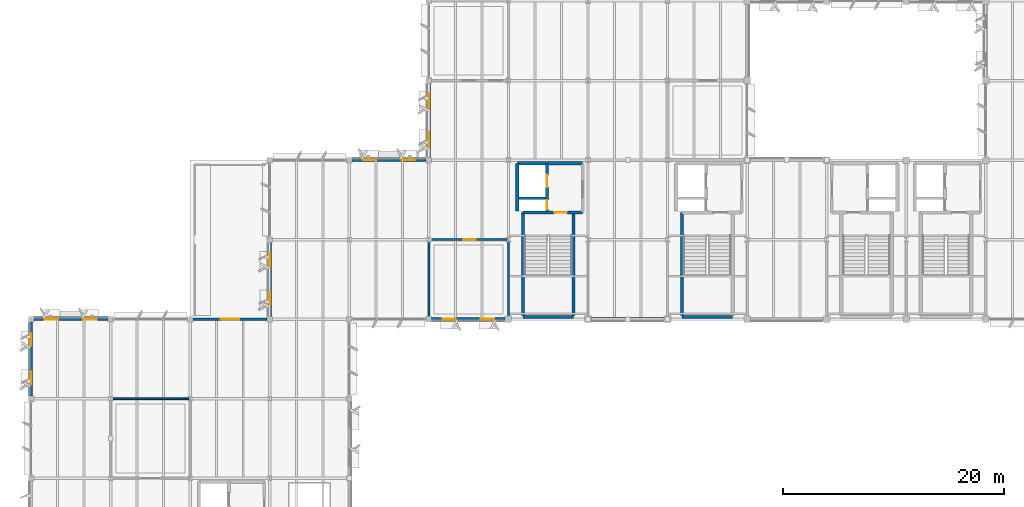
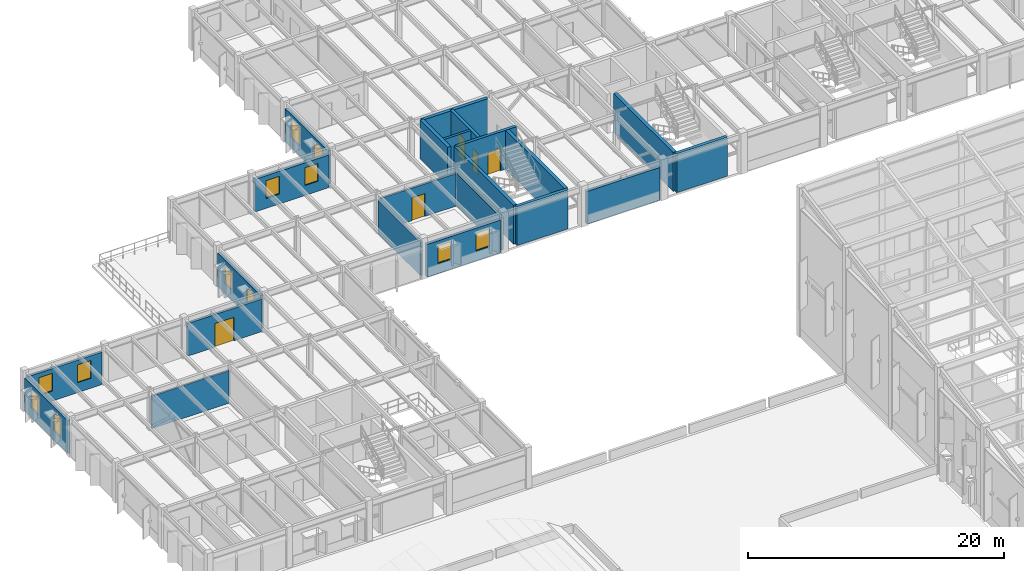
# One storey, part 37 of 82: 22 walls, 12 windows, 5 doors, 17 openings.
"""IFC4 building model written with IfcOpenShell, lengths in metres."""

from ifc_helpers import new_model, si_unit, direction, frame, frame_2d, origin, place, context, subcontext, project, spatial, rectangle, extrude, material, layer, layer_set, type_object, element, fill, save


model = new_model("IFC4")

# Units and contexts
model_context = context("Model", 3, precision=1e-05, world=origin(), true_north=direction((0.0, 1.0)))
body_context = subcontext(model_context, "Body", "Model", "MODEL_VIEW")
ifc_project = project(units=[si_unit("LENGTHUNIT", "METRE"), si_unit("AREAUNIT", "SQUARE_METRE"), si_unit("VOLUMEUNIT", "CUBIC_METRE"), si_unit("PLANEANGLEUNIT", "RADIAN"), si_unit("MASSUNIT", "GRAM", prefix="KILO")], contexts=[model_context])

# Site, building, storey
site_placement = place(None, origin())
site = spatial("IfcSite", under=ifc_project, at=site_placement, CompositionType="ELEMENT")
building_placement = place(site_placement, origin())
building = spatial("IfcBuilding", under=site, at=building_placement, Name="Sillqori Civic Hall", CompositionType="ELEMENT")
storey_placement = place(building_placement, frame((0.0, 0.0, 14.10009765625)))
storey = spatial("IfcBuildingStorey", under=building, at=storey_placement, Name="L04", CompositionType="ELEMENT", Elevation=14.10009765625)

# Wall
ifc_material_1 = material(Name="Concrete C35/45 (H35)", Category="concrete")
ifc_layer_1 = layer(ifc_material_1, 0.219970703125)
ifc_layer_set_1 = layer_set([ifc_layer_1], Name="Concrete C35/45 (H35)")
wall_type_1 = type_object("IfcWallType", Name="CW-SHR-220", PredefinedType="SHEAR", material=ifc_layer_set_1)
wall_1_placement = place(storey_placement, frame((51.35009765625, 90.14990234375, 0.0), z_axis=(0.0, 0.0, 1.0), x_axis=(1.0, 0.0, 0.0)))
element("IfcWall", 1, at=wall_1_placement, inside=storey, type_object=wall_type_1, Name="L04 C5 Lift-riser divider wall", PredefinedType="SHEAR", context=body_context, shape_type="SweptSolid", body=[
    extrude(rectangle(XDim=2.39990234375, YDim=0.219970703125, at=frame_2d((1.199951171875, 0.0))), origin(), (0.0, 0.0, 1.0), 3.719970703125),
])

# Wall, opening, door
ifc_layer_2 = layer(ifc_material_1, 0.260009765625)
ifc_layer_set_2 = layer_set([ifc_layer_2], Name="Concrete C35/45 (H35)")
wall_type_2 = type_object("IfcWallType", Name="CW-SHR-260", PredefinedType="SHEAR", material=ifc_layer_set_2)
wall_2_placement = place(storey_placement, frame((51.7099609375, 88.85009765625, 0.0), z_axis=(0.0, 0.0, 1.0), x_axis=(1.0, 0.0, 0.0)))
wall_2 = element("IfcWall", 2, at=wall_2_placement, inside=storey, type_object=wall_type_2, Name="L04 C5 Stair-lobby fire wall", PredefinedType="SHEAR", context=body_context, shape_type="SweptSolid", body=[
    extrude(rectangle(XDim=5.41015625, YDim=0.260009765625, at=frame_2d((2.705078125, 0.0))), origin(), (0.0, 0.0, 1.0), 3.719970703125),
])
opening_1_placement = place(wall_2_placement, frame((2.840087890625, 0.0, 0.0)))
opening_1 = element("IfcOpeningElement", 3, at=opening_1_placement, cuts=wall_2, Name="Opening FD-01", PredefinedType="OPENING", context=body_context, shape_type="SweptSolid", body=[
    extrude(rectangle(XDim=1.14990234375, YDim=2.14990234375, at=frame_2d((0.574951171875, 1.074951171875))), frame((0.0, 0.139892578125, 0.0), z_axis=(0.0, -1.0, 0.0), x_axis=(1.0, 0.0, 0.0)), (0.0, 0.0, 1.0), 0.280029296875),
])
ifc_material_2 = material(Name="Galvanized Steel Fire Door FD90S", Category="steel")
door_type_1 = type_object("IfcDoorType", Name="FDR-STR-115X215", OperationType="NOTDEFINED", PredefinedType="DOOR", material=ifc_material_2)
door_1_placement = place(opening_1_placement, origin())
door_1 = element("IfcDoor", 4, at=door_1_placement, inside=storey, type_object=door_type_1, Name="L04 stair ST-05 fire door", OperationType="SINGLE_SWING_RIGHT", OverallHeight=2.14990234375, OverallWidth=1.14990234375, PredefinedType="DOOR", context=body_context, shape_type="SweptSolid", body=[
    extrude(rectangle(XDim=1.14990234375, YDim=2.14990234375, at=frame_2d((0.574951171875, 1.074951171875))), frame((0.0, 0.02490234375, 0.0), z_axis=(0.0, -1.0, 0.0), x_axis=(1.0, 0.0, 0.0)), (0.0, 0.0, 1.0), 0.050048828125),
])
fill(opening_1, door_1)

# Wall, openings, doors
wall_3_placement = place(storey_placement, frame((53.89990234375, 93.300048828125, 0.0), z_axis=(0.0, 0.0, 1.0), x_axis=(0.0, -1.0, 0.0)))
wall_3 = element("IfcWall", 5, at=wall_3_placement, inside=storey, type_object=wall_type_2, Name="L04 C5 Lift landing & riser front wall", PredefinedType="SHEAR", context=body_context, shape_type="SweptSolid", body=[
    extrude(rectangle(XDim=4.320068359375, YDim=0.260009765625, at=frame_2d((2.16015625, 0.0))), origin(), (0.0, 0.0, 1.0), 3.719970703125),
])
opening_2_placement = place(wall_3_placement, frame((1.050048828125, 0.0, 0.0)))
opening_2 = element("IfcOpeningElement", 6, at=opening_2_placement, cuts=wall_3, Name="Opening LD-01", PredefinedType="OPENING", context=body_context, shape_type="SweptSolid", body=[
    extrude(rectangle(XDim=1.10009765625, YDim=2.14990234375, at=frame_2d((0.550048828125, 1.074951171875))), frame((0.0, 0.139892578125, 0.0), z_axis=(0.0, -1.0, 0.0), x_axis=(1.0, 0.0, 0.0)), (0.0, 0.0, 1.0), 0.280029296875),
])
opening_3_placement = place(wall_3_placement, frame((3.324951171875, 0.0, 0.0)))
opening_3 = element("IfcOpeningElement", 7, at=opening_3_placement, cuts=wall_3, Name="Opening FD-05", PredefinedType="OPENING", context=body_context, shape_type="SweptSolid", body=[
    extrude(rectangle(XDim=0.85009765625, YDim=2.050048828125, at=frame_2d((0.425048828125, 1.02490234375))), frame((0.0, 0.139892578125, 0.0), z_axis=(0.0, -1.0, 0.0), x_axis=(1.0, 0.0, 0.0)), (0.0, 0.0, 1.0), 0.280029296875),
])
ifc_material_3 = material(Name="Steel Riser Access Fire Door", Category="steel")
door_type_2 = type_object("IfcDoorType", Name="FDR-RSR-085X205", OperationType="NOTDEFINED", PredefinedType="DOOR", material=ifc_material_3)
door_2_placement = place(opening_3_placement, origin())
door_2 = element("IfcDoor", 8, at=door_2_placement, inside=storey, type_object=door_type_2, Name="L04 MEP riser C5 fire access door", OperationType="SINGLE_SWING_LEFT", OverallHeight=2.050048828125, OverallWidth=0.85009765625, PredefinedType="DOOR", context=body_context, shape_type="SweptSolid", body=[
    extrude(rectangle(XDim=0.85009765625, YDim=2.050048828125, at=frame_2d((0.425048828125, 1.02490234375))), frame((0.0, 0.02490234375, 0.0), z_axis=(0.0, -1.0, 0.0), x_axis=(1.0, 0.0, 0.0)), (0.0, 0.0, 1.0), 0.050048828125),
])
fill(opening_3, door_2)
ifc_material_4 = material(Name="Stainless Steel Lift Landing Door", Category="steel")
door_type_3 = type_object("IfcDoorType", Name="LDR-PASS-110X215", OperationType="NOTDEFINED", PredefinedType="DOOR", material=ifc_material_4)
door_3_placement = place(opening_2_placement, origin())
door_3 = element("IfcDoor", 9, at=door_3_placement, inside=storey, type_object=door_type_3, Name="L04 lift LF-03 sliding landing door", OperationType="DOUBLE_DOOR_SLIDING", OverallHeight=2.14990234375, OverallWidth=1.10009765625, PredefinedType="DOOR", context=body_context, shape_type="SweptSolid", body=[
    extrude(rectangle(XDim=1.10009765625, YDim=2.14990234375, at=frame_2d((0.550048828125, 1.074951171875))), frame((0.0, 0.02490234375, 0.0), z_axis=(0.0, -1.0, 0.0), x_axis=(1.0, 0.0, 0.0)), (0.0, 0.0, 1.0), 0.050048828125),
])
fill(opening_2, door_3)

# Walls
ifc_layer_3 = layer(ifc_material_1, 0.300048828125)
ifc_layer_set_3 = layer_set([ifc_layer_3], Name="Concrete C35/45 (H35)")
wall_type_3 = type_object("IfcWallType", Name="CW-SHR-300", PredefinedType="SHEAR", material=ifc_layer_set_3)
wall_4_placement = place(storey_placement, frame((51.7099609375, 79.39990234375, 0.0), z_axis=(0.0, 0.0, 1.0), x_axis=(1.0, 0.0, 0.0)))
element("IfcWall", 10, at=wall_4_placement, inside=storey, type_object=wall_type_3, Name="L04 C5 Stair south shear wall", PredefinedType="SHEAR", context=body_context, shape_type="SweptSolid", body=[
    extrude(rectangle(XDim=4.580078125, YDim=0.300048828125, at=frame_2d((2.2900390625, 0.0))), origin(), (0.0, 0.0, 1.0), 3.719970703125),
])
for number, where, z_axis, x_axis, name in (
    (11, (51.7099609375, 79.550048828125, 0.0), (0.0, 0.0, 1.0), (0.0, 1.0, 0.0), "L04 C5 Stair west shear wall"),
    (12, (56.2900390625, 79.550048828125, 0.0), (0.0, 0.0, 1.0), (0.0, 1.0, 0.0), "L04 C5 Stair east shear wall"),
):
    element("IfcWall", number, at=place(storey_placement, frame(where, z_axis=z_axis, x_axis=x_axis)), inside=storey, type_object=wall_type_3, Name=name, PredefinedType="SHEAR", context=body_context, shape_type="SweptSolid", body=[
        extrude(rectangle(XDim=9.300048828125, YDim=0.300048828125, at=frame_2d((4.64990234375, 0.0))), origin(), (0.0, 0.0, 1.0), 3.719970703125),
    ])
wall_5_placement = place(storey_placement, frame((51.199951171875, 88.97998046875, 0.0), z_axis=(0.0, 0.0, 1.0), x_axis=(0.0, 1.0, 0.0)))
element("IfcWall", 13, at=wall_5_placement, inside=storey, type_object=wall_type_3, Name="L04 C5 Lift shaft west shear wall", PredefinedType="SHEAR", context=body_context, shape_type="SweptSolid", body=[
    extrude(rectangle(XDim=4.320068359375, YDim=0.300048828125, at=frame_2d((2.16015625, 0.0))), origin(), (0.0, 0.0, 1.0), 3.719970703125),
])
wall_6_placement = place(storey_placement, frame((51.199951171875, 93.300048828125, 0.0), z_axis=(0.0, 0.0, 1.0), x_axis=(1.0, 0.0, 0.0)))
element("IfcWall", 14, at=wall_6_placement, inside=storey, type_object=wall_type_3, Name="L04 C5 Core north shear wall", PredefinedType="SHEAR", context=body_context, shape_type="SweptSolid", body=[
    extrude(rectangle(XDim=5.920166015625, YDim=0.300048828125, at=frame_2d((2.9599609375, 0.0))), origin(), (0.0, 0.0, 1.0), 3.719970703125),
])
wall_7_placement = place(storey_placement, frame((66.110107421875, 79.39990234375, 0.0), z_axis=(0.0, 0.0, 1.0), x_axis=(1.0, 0.0, 0.0)))
element("IfcWall", 15, at=wall_7_placement, inside=storey, type_object=wall_type_3, Name="L04 C6 Stair south shear wall", PredefinedType="SHEAR", context=body_context, shape_type="SweptSolid", body=[
    extrude(rectangle(XDim=4.579833984375, YDim=0.300048828125, at=frame_2d((2.2900390625, 0.0))), origin(), (0.0, 0.0, 1.0), 3.719970703125),
])
wall_8_placement = place(storey_placement, frame((66.110107421875, 79.550048828125, 0.0), z_axis=(0.0, 0.0, 1.0), x_axis=(0.0, 1.0, 0.0)))
element("IfcWall", 16, at=wall_8_placement, inside=storey, type_object=wall_type_3, Name="L04 C6 Stair west shear wall", PredefinedType="SHEAR", context=body_context, shape_type="SweptSolid", body=[
    extrude(rectangle(XDim=9.300048828125, YDim=0.300048828125, at=frame_2d((4.64990234375, 0.0))), origin(), (0.0, 0.0, 1.0), 3.719970703125),
])

# Wall, openings, windows
ifc_material_5 = material(Name="Precast concrete C40/50 (H40)", Category="concrete")
ifc_layer_4 = layer(ifc_material_5, 0.280029296875)
ifc_layer_set_4 = layer_set([ifc_layer_4], Name="Precast concrete C40/50 (H40)")
wall_type_4 = type_object("IfcWallType", Name="EW-LIME-280", PredefinedType="SOLIDWALL", material=ifc_layer_set_4)
wall_9_placement = place(storey_placement, frame((28.800048828125, 79.449951171875, 0.0), z_axis=(0.0, 0.0, 1.0), x_axis=(0.0, 1.0, 0.0)))
wall_9 = element("IfcWall", 17, at=wall_9_placement, inside=storey, type_object=wall_type_4, Name="L04 V4 exterior wall L04-04-11-W", PredefinedType="SOLIDWALL", context=body_context, shape_type="SweptSolid", body=[
    extrude(rectangle(XDim=6.699951171875, YDim=0.280029296875, at=frame_2d((3.35009765625, 0.0))), origin(), (0.0, 0.0, 1.0), 3.171875),
])
opening_4_placement = place(wall_9_placement, frame((1.008056640625, 0.0, 0.949951171875)))
opening_4 = element("IfcOpeningElement", 18, at=opening_4_placement, cuts=wall_9, Name="Opening W-22", PredefinedType="OPENING", context=body_context, shape_type="SweptSolid", body=[
    extrude(rectangle(XDim=1.199951171875, YDim=1.699951171875, at=frame_2d((0.60009765625, 0.85009765625))), frame((0.0, 0.14990234375, 0.0), z_axis=(0.0, -1.0, 0.0), x_axis=(1.0, 0.0, 0.0)), (0.0, 0.0, 1.0), 0.300048828125),
])
opening_5_placement = place(wall_9_placement, frame((4.491943359375, 0.0, 0.949951171875)))
opening_5 = element("IfcOpeningElement", 19, at=opening_5_placement, cuts=wall_9, Name="Opening W-22", PredefinedType="OPENING", context=body_context, shape_type="SweptSolid", body=[
    extrude(rectangle(XDim=1.199951171875, YDim=1.699951171875, at=frame_2d((0.60009765625, 0.85009765625))), frame((0.0, 0.14990234375, 0.0), z_axis=(0.0, -1.0, 0.0), x_axis=(1.0, 0.0, 0.0)), (0.0, 0.0, 1.0), 0.300048828125),
])
ifc_material_6 = material(Name="Thermally Broken Aluminium Low-E Window", Category="aluminium")
window_type_1 = type_object("IfcWindowType", Name="WIN-V5-120X170", PartitioningType="SINGLE_PANEL", PredefinedType="WINDOW", material=ifc_material_6)
window_1_placement = place(opening_4_placement, origin())
window_1 = element("IfcWindow", 20, at=window_1_placement, inside=storey, type_object=window_type_1, Name="L04 V4 window L04-04-11-W.1", OverallHeight=1.699951171875, OverallWidth=1.199951171875, PartitioningType="SINGLE_PANEL", PredefinedType="WINDOW", context=body_context, shape_type="SweptSolid", body=[
    extrude(rectangle(XDim=1.199951171875, YDim=1.699951171875, at=frame_2d((0.60009765625, 0.85009765625))), frame((0.0, 0.030029296875, 0.0), z_axis=(0.0, -1.0, 0.0), x_axis=(1.0, 0.0, 0.0)), (0.0, 0.0, 1.0), 0.06005859375),
])
fill(opening_4, window_1)
window_2_placement = place(opening_5_placement, origin())
window_2 = element("IfcWindow", 21, at=window_2_placement, inside=storey, type_object=window_type_1, Name="L04 V4 window L04-04-11-W.2", OverallHeight=1.699951171875, OverallWidth=1.199951171875, PartitioningType="SINGLE_PANEL", PredefinedType="WINDOW", context=body_context, shape_type="SweptSolid", body=[
    extrude(rectangle(XDim=1.199951171875, YDim=1.699951171875, at=frame_2d((0.60009765625, 0.85009765625))), frame((0.0, 0.030029296875, 0.0), z_axis=(0.0, -1.0, 0.0), x_axis=(1.0, 0.0, 0.0)), (0.0, 0.0, 1.0), 0.06005859375),
])
fill(opening_5, window_2)

wall_10_placement = place(storey_placement, frame((36.25, 93.60009765625, 0.0), z_axis=(0.0, 0.0, 1.0), x_axis=(1.0, 0.0, 0.0)))
wall_10 = element("IfcWall", 22, at=wall_10_placement, inside=storey, type_object=wall_type_4, Name="L04 V4 exterior wall L04-05-12-N", PredefinedType="SOLIDWALL", context=body_context, shape_type="SweptSolid", body=[
    extrude(rectangle(XDim=6.699951171875, YDim=0.280029296875, at=frame_2d((3.35009765625, 0.0))), origin(), (0.0, 0.0, 1.0), 3.117919921875),
])
opening_6_placement = place(wall_10_placement, frame((1.008056640625, 0.0, 0.949951171875)))
opening_6 = element("IfcOpeningElement", 23, at=opening_6_placement, cuts=wall_10, Name="Opening W-22", PredefinedType="OPENING", context=body_context, shape_type="SweptSolid", body=[
    extrude(rectangle(XDim=1.199951171875, YDim=1.699951171875, at=frame_2d((0.60009765625, 0.85009765625))), frame((0.0, 0.14990234375, 0.0), z_axis=(0.0, -1.0, 0.0), x_axis=(1.0, 0.0, 0.0)), (0.0, 0.0, 1.0), 0.300048828125),
])
opening_7_placement = place(wall_10_placement, frame((4.491943359375, 0.0, 0.949951171875)))
opening_7 = element("IfcOpeningElement", 24, at=opening_7_placement, cuts=wall_10, Name="Opening W-22", PredefinedType="OPENING", context=body_context, shape_type="SweptSolid", body=[
    extrude(rectangle(XDim=1.199951171875, YDim=1.699951171875, at=frame_2d((0.60009765625, 0.85009765625))), frame((0.0, 0.14990234375, 0.0), z_axis=(0.0, -1.0, 0.0), x_axis=(1.0, 0.0, 0.0)), (0.0, 0.0, 1.0), 0.300048828125),
])
window_3_placement = place(opening_6_placement, origin())
window_3 = element("IfcWindow", 25, at=window_3_placement, inside=storey, type_object=window_type_1, Name="L04 V4 window L04-05-12-N.1", OverallHeight=1.699951171875, OverallWidth=1.199951171875, PartitioningType="SINGLE_PANEL", PredefinedType="WINDOW", context=body_context, shape_type="SweptSolid", body=[
    extrude(rectangle(XDim=1.199951171875, YDim=1.699951171875, at=frame_2d((0.60009765625, 0.85009765625))), frame((0.0, 0.030029296875, 0.0), z_axis=(0.0, -1.0, 0.0), x_axis=(1.0, 0.0, 0.0)), (0.0, 0.0, 1.0), 0.06005859375),
])
fill(opening_6, window_3)
window_4_placement = place(opening_7_placement, origin())
window_4 = element("IfcWindow", 26, at=window_4_placement, inside=storey, type_object=window_type_1, Name="L04 V4 window L04-05-12-N.2", OverallHeight=1.699951171875, OverallWidth=1.199951171875, PartitioningType="SINGLE_PANEL", PredefinedType="WINDOW", context=body_context, shape_type="SweptSolid", body=[
    extrude(rectangle(XDim=1.199951171875, YDim=1.699951171875, at=frame_2d((0.60009765625, 0.85009765625))), frame((0.0, 0.030029296875, 0.0), z_axis=(0.0, -1.0, 0.0), x_axis=(1.0, 0.0, 0.0)), (0.0, 0.0, 1.0), 0.06005859375),
])
fill(opening_7, window_4)

wall_11_placement = place(storey_placement, frame((50.10009765625, 79.199951171875, 0.0), z_axis=(0.0, 0.0, 1.0), x_axis=(-1.0, 0.0, 0.0)))
wall_11 = element("IfcWall", 27, at=wall_11_placement, inside=storey, type_object=wall_type_4, Name="L04 V4 exterior wall L04-06-11-S", PredefinedType="SOLIDWALL", context=body_context, shape_type="SweptSolid", body=[
    extrude(rectangle(XDim=6.650146484375, YDim=0.280029296875, at=frame_2d((3.3251953125, 0.0))), origin(), (0.0, 0.0, 1.0), 3.117919921875),
])
opening_8_placement = place(wall_11_placement, frame((0.99609375, 0.0, 0.949951171875)))
opening_8 = element("IfcOpeningElement", 28, at=opening_8_placement, cuts=wall_11, Name="Opening W-22", PredefinedType="OPENING", context=body_context, shape_type="SweptSolid", body=[
    extrude(rectangle(XDim=1.199951171875, YDim=1.699951171875, at=frame_2d((0.60009765625, 0.85009765625))), frame((0.0, 0.14990234375, 0.0), z_axis=(0.0, -1.0, 0.0), x_axis=(1.0, 0.0, 0.0)), (0.0, 0.0, 1.0), 0.300048828125),
])
opening_9_placement = place(wall_11_placement, frame((4.4541015625, 0.0, 0.949951171875)))
opening_9 = element("IfcOpeningElement", 29, at=opening_9_placement, cuts=wall_11, Name="Opening W-22", PredefinedType="OPENING", context=body_context, shape_type="SweptSolid", body=[
    extrude(rectangle(XDim=1.199951171875, YDim=1.699951171875, at=frame_2d((0.60009765625, 0.85009765625))), frame((0.0, 0.14990234375, 0.0), z_axis=(0.0, -1.0, 0.0), x_axis=(1.0, 0.0, 0.0)), (0.0, 0.0, 1.0), 0.300048828125),
])
window_5_placement = place(opening_8_placement, origin())
window_5 = element("IfcWindow", 30, at=window_5_placement, inside=storey, type_object=window_type_1, Name="L04 V4 window L04-06-11-S.1", OverallHeight=1.699951171875, OverallWidth=1.199951171875, PartitioningType="SINGLE_PANEL", PredefinedType="WINDOW", context=body_context, shape_type="SweptSolid", body=[
    extrude(rectangle(XDim=1.199951171875, YDim=1.699951171875, at=frame_2d((0.60009765625, 0.85009765625))), frame((0.0, 0.030029296875, 0.0), z_axis=(0.0, -1.0, 0.0), x_axis=(1.0, 0.0, 0.0)), (0.0, 0.0, 1.0), 0.06005859375),
])
fill(opening_8, window_5)
window_6_placement = place(opening_9_placement, origin())
window_6 = element("IfcWindow", 31, at=window_6_placement, inside=storey, type_object=window_type_1, Name="L04 V4 window L04-06-11-S.2", OverallHeight=1.699951171875, OverallWidth=1.199951171875, PartitioningType="SINGLE_PANEL", PredefinedType="WINDOW", context=body_context, shape_type="SweptSolid", body=[
    extrude(rectangle(XDim=1.199951171875, YDim=1.699951171875, at=frame_2d((0.60009765625, 0.85009765625))), frame((0.0, 0.030029296875, 0.0), z_axis=(0.0, -1.0, 0.0), x_axis=(1.0, 0.0, 0.0)), (0.0, 0.0, 1.0), 0.06005859375),
])
fill(opening_9, window_6)

wall_12_placement = place(storey_placement, frame((43.199951171875, 93.85009765625, 0.0), z_axis=(0.0, 0.0, 1.0), x_axis=(0.0, 1.0, 0.0)))
wall_12 = element("IfcWall", 32, at=wall_12_placement, inside=storey, type_object=wall_type_4, Name="L04 V4 exterior wall L04-06-13-W", PredefinedType="SOLIDWALL", context=body_context, shape_type="SweptSolid", body=[
    extrude(rectangle(XDim=6.699951171875, YDim=0.280029296875, at=frame_2d((3.35009765625, 0.0))), origin(), (0.0, 0.0, 1.0), 3.19189453125),
])
opening_10_placement = place(wall_12_placement, frame((0.883056640625, 0.0, 0.949951171875)))
opening_10 = element("IfcOpeningElement", 33, at=opening_10_placement, cuts=wall_12, Name="Opening W-43", PredefinedType="OPENING", context=body_context, shape_type="SweptSolid", body=[
    extrude(rectangle(XDim=1.449951171875, YDim=1.85009765625, at=frame_2d((0.72509765625, 0.925048828125))), frame((0.0, 0.14990234375, 0.0), z_axis=(0.0, -1.0, 0.0), x_axis=(1.0, 0.0, 0.0)), (0.0, 0.0, 1.0), 0.300048828125),
])
opening_11_placement = place(wall_12_placement, frame((4.366943359375, 0.0, 0.949951171875)))
opening_11 = element("IfcOpeningElement", 34, at=opening_11_placement, cuts=wall_12, Name="Opening W-43", PredefinedType="OPENING", context=body_context, shape_type="SweptSolid", body=[
    extrude(rectangle(XDim=1.449951171875, YDim=1.85009765625, at=frame_2d((0.72509765625, 0.925048828125))), frame((0.0, 0.14990234375, 0.0), z_axis=(0.0, -1.0, 0.0), x_axis=(1.0, 0.0, 0.0)), (0.0, 0.0, 1.0), 0.300048828125),
])
window_type_2 = type_object("IfcWindowType", Name="WIN-GD-145X185", PartitioningType="SINGLE_PANEL", PredefinedType="WINDOW", material=ifc_material_6)
window_7_placement = place(opening_10_placement, origin())
window_7 = element("IfcWindow", 35, at=window_7_placement, inside=storey, type_object=window_type_2, Name="L04 V4 window L04-06-13-W.1", OverallHeight=1.85009765625, OverallWidth=1.449951171875, PartitioningType="SINGLE_PANEL", PredefinedType="WINDOW", context=body_context, shape_type="SweptSolid", body=[
    extrude(rectangle(XDim=1.449951171875, YDim=1.85009765625, at=frame_2d((0.72509765625, 0.925048828125))), frame((0.0, 0.030029296875, 0.0), z_axis=(0.0, -1.0, 0.0), x_axis=(1.0, 0.0, 0.0)), (0.0, 0.0, 1.0), 0.06005859375),
])
fill(opening_10, window_7)
window_8_placement = place(opening_11_placement, origin())
window_8 = element("IfcWindow", 36, at=window_8_placement, inside=storey, type_object=window_type_2, Name="L04 V4 window L04-06-13-W.2", OverallHeight=1.85009765625, OverallWidth=1.449951171875, PartitioningType="SINGLE_PANEL", PredefinedType="WINDOW", context=body_context, shape_type="SweptSolid", body=[
    extrude(rectangle(XDim=1.449951171875, YDim=1.85009765625, at=frame_2d((0.72509765625, 0.925048828125))), frame((0.0, 0.030029296875, 0.0), z_axis=(0.0, -1.0, 0.0), x_axis=(1.0, 0.0, 0.0)), (0.0, 0.0, 1.0), 0.06005859375),
])
fill(opening_11, window_8)

# Wall
wall_13_placement = place(storey_placement, frame((64.5, 79.199951171875, 0.0), z_axis=(0.0, 0.0, 1.0), x_axis=(-1.0, 0.0, 0.0)))
element("IfcWall", 37, at=wall_13_placement, inside=storey, type_object=wall_type_4, Name="L04 V4 exterior wall L04-08-11-S", PredefinedType="SOLIDWALL", context=body_context, shape_type="SweptSolid", body=[
    extrude(rectangle(XDim=6.60009765625, YDim=0.280029296875, at=frame_2d((3.300048828125, 0.0))), origin(), (0.0, 0.0, 1.0), 3.117919921875),
])

# Wall, openings, windows
ifc_material_7 = material(Name="Concrete C30/37 (H30)", Category="concrete")
ifc_layer_5 = layer(ifc_material_7, 0.239990234375)
ifc_layer_set_5 = layer_set([ifc_layer_5], Name="Concrete C30/37 (H30)")
wall_type_5 = type_object("IfcWallType", Name="EW-MAS-240", PredefinedType="SOLIDWALL", material=ifc_layer_set_5)
wall_14_placement = place(storey_placement, frame((7.449951171875, 79.199951171875, 0.0), z_axis=(0.0, 0.0, 1.0), x_axis=(1.0, 0.0, 0.0)))
wall_14 = element("IfcWall", 38, at=wall_14_placement, inside=storey, type_object=wall_type_5, Name="L04 V5 exterior wall L04-01-10-N", PredefinedType="SOLIDWALL", context=body_context, shape_type="SweptSolid", body=[
    extrude(rectangle(XDim=6.699951171875, YDim=0.239990234375, at=frame_2d((3.35009765625, 0.0))), origin(), (0.0, 0.0, 1.0), 3.097900390625),
])
opening_12_placement = place(wall_14_placement, frame((1.008056640625, 0.0, 0.949951171875)))
opening_12 = element("IfcOpeningElement", 39, at=opening_12_placement, cuts=wall_14, Name="Opening W-22", PredefinedType="OPENING", context=body_context, shape_type="SweptSolid", body=[
    extrude(rectangle(XDim=1.199951171875, YDim=1.699951171875, at=frame_2d((0.60009765625, 0.85009765625))), frame((0.0, 0.1298828125, 0.0), z_axis=(0.0, -1.0, 0.0), x_axis=(1.0, 0.0, 0.0)), (0.0, 0.0, 1.0), 0.260009765625),
])
opening_13_placement = place(wall_14_placement, frame((4.491943359375, 0.0, 0.949951171875)))
opening_13 = element("IfcOpeningElement", 40, at=opening_13_placement, cuts=wall_14, Name="Opening W-22", PredefinedType="OPENING", context=body_context, shape_type="SweptSolid", body=[
    extrude(rectangle(XDim=1.199951171875, YDim=1.699951171875, at=frame_2d((0.60009765625, 0.85009765625))), frame((0.0, 0.1298828125, 0.0), z_axis=(0.0, -1.0, 0.0), x_axis=(1.0, 0.0, 0.0)), (0.0, 0.0, 1.0), 0.260009765625),
])
window_9_placement = place(opening_12_placement, origin())
window_9 = element("IfcWindow", 41, at=window_9_placement, inside=storey, type_object=window_type_1, Name="L04 V5 window L04-01-10-N.1", OverallHeight=1.699951171875, OverallWidth=1.199951171875, PartitioningType="SINGLE_PANEL", PredefinedType="WINDOW", context=body_context, shape_type="SweptSolid", body=[
    extrude(rectangle(XDim=1.199951171875, YDim=1.699951171875, at=frame_2d((0.60009765625, 0.85009765625))), frame((0.0, 0.030029296875, 0.0), z_axis=(0.0, -1.0, 0.0), x_axis=(1.0, 0.0, 0.0)), (0.0, 0.0, 1.0), 0.06005859375),
])
fill(opening_12, window_9)
window_10_placement = place(opening_13_placement, origin())
window_10 = element("IfcWindow", 42, at=window_10_placement, inside=storey, type_object=window_type_1, Name="L04 V5 window L04-01-10-N.2", OverallHeight=1.699951171875, OverallWidth=1.199951171875, PartitioningType="SINGLE_PANEL", PredefinedType="WINDOW", context=body_context, shape_type="SweptSolid", body=[
    extrude(rectangle(XDim=1.199951171875, YDim=1.699951171875, at=frame_2d((0.60009765625, 0.85009765625))), frame((0.0, 0.030029296875, 0.0), z_axis=(0.0, -1.0, 0.0), x_axis=(1.0, 0.0, 0.0)), (0.0, 0.0, 1.0), 0.06005859375),
])
fill(opening_13, window_10)

wall_15_placement = place(storey_placement, frame((7.199951171875, 72.25, 0.0), z_axis=(0.0, 0.0, 1.0), x_axis=(0.0, 1.0, 0.0)))
wall_15 = element("IfcWall", 43, at=wall_15_placement, inside=storey, type_object=wall_type_5, Name="L04 V5 exterior wall L04-01-10-W", PredefinedType="SOLIDWALL", context=body_context, shape_type="SweptSolid", body=[
    extrude(rectangle(XDim=6.699951171875, YDim=0.239990234375, at=frame_2d((3.35009765625, 0.0))), origin(), (0.0, 0.0, 1.0), 3.171875),
])
opening_14_placement = place(wall_15_placement, frame((1.008056640625, 0.0, 0.949951171875)))
opening_14 = element("IfcOpeningElement", 44, at=opening_14_placement, cuts=wall_15, Name="Opening W-22", PredefinedType="OPENING", context=body_context, shape_type="SweptSolid", body=[
    extrude(rectangle(XDim=1.199951171875, YDim=1.699951171875, at=frame_2d((0.60009765625, 0.85009765625))), frame((0.0, 0.1298828125, 0.0), z_axis=(0.0, -1.0, 0.0), x_axis=(1.0, 0.0, 0.0)), (0.0, 0.0, 1.0), 0.260009765625),
])
opening_15_placement = place(wall_15_placement, frame((4.491943359375, 0.0, 0.949951171875)))
opening_15 = element("IfcOpeningElement", 45, at=opening_15_placement, cuts=wall_15, Name="Opening W-22", PredefinedType="OPENING", context=body_context, shape_type="SweptSolid", body=[
    extrude(rectangle(XDim=1.199951171875, YDim=1.699951171875, at=frame_2d((0.60009765625, 0.85009765625))), frame((0.0, 0.1298828125, 0.0), z_axis=(0.0, -1.0, 0.0), x_axis=(1.0, 0.0, 0.0)), (0.0, 0.0, 1.0), 0.260009765625),
])
window_11_placement = place(opening_14_placement, origin())
window_11 = element("IfcWindow", 46, at=window_11_placement, inside=storey, type_object=window_type_1, Name="L04 V5 window L04-01-10-W.1", OverallHeight=1.699951171875, OverallWidth=1.199951171875, PartitioningType="SINGLE_PANEL", PredefinedType="WINDOW", context=body_context, shape_type="SweptSolid", body=[
    extrude(rectangle(XDim=1.199951171875, YDim=1.699951171875, at=frame_2d((0.60009765625, 0.85009765625))), frame((0.0, 0.030029296875, 0.0), z_axis=(0.0, -1.0, 0.0), x_axis=(1.0, 0.0, 0.0)), (0.0, 0.0, 1.0), 0.06005859375),
])
fill(opening_14, window_11)
window_12_placement = place(opening_15_placement, origin())
window_12 = element("IfcWindow", 47, at=window_12_placement, inside=storey, type_object=window_type_1, Name="L04 V5 window L04-01-10-W.2", OverallHeight=1.699951171875, OverallWidth=1.199951171875, PartitioningType="SINGLE_PANEL", PredefinedType="WINDOW", context=body_context, shape_type="SweptSolid", body=[
    extrude(rectangle(XDim=1.199951171875, YDim=1.699951171875, at=frame_2d((0.60009765625, 0.85009765625))), frame((0.0, 0.030029296875, 0.0), z_axis=(0.0, -1.0, 0.0), x_axis=(1.0, 0.0, 0.0)), (0.0, 0.0, 1.0), 0.06005859375),
])
fill(opening_15, window_12)

# Wall, opening, door
wall_16_placement = place(storey_placement, frame((21.85009765625, 79.199951171875, 0.0), z_axis=(0.0, 0.0, 1.0), x_axis=(1.0, 0.0, 0.0)))
wall_16 = element("IfcWall", 48, at=wall_16_placement, inside=storey, type_object=wall_type_5, Name="L04 V5 exterior wall L04-03-10-N", PredefinedType="SOLIDWALL", context=body_context, shape_type="SweptSolid", body=[
    extrude(rectangle(XDim=6.699951171875, YDim=0.239990234375, at=frame_2d((3.35009765625, 0.0))), origin(), (0.0, 0.0, 1.0), 3.117919921875),
])
opening_16_placement = place(wall_16_placement, frame((2.5, 0.0, 0.0)))
opening_16 = element("IfcOpeningElement", 49, at=opening_16_placement, cuts=wall_16, Name="Opening ED-07", PredefinedType="OPENING", context=body_context, shape_type="SweptSolid", body=[
    extrude(rectangle(XDim=1.699951171875, YDim=2.25, at=frame_2d((0.85009765625, 1.125))), frame((0.0, 0.1298828125, 0.0), z_axis=(0.0, -1.0, 0.0), x_axis=(1.0, 0.0, 0.0)), (0.0, 0.0, 1.0), 0.260009765625),
])
ifc_material_8 = material(Name="Thermally Broken Anodized Aluminium and Laminated Glass", Category="aluminium")
door_type_4 = type_object("IfcDoorType", Name="EDR-TERR-170X225", OperationType="NOTDEFINED", PredefinedType="DOOR", material=ifc_material_8)
door_4_placement = place(opening_16_placement, origin())
door_4 = element("IfcDoor", 50, at=door_4_placement, inside=storey, type_object=door_type_4, Name="Urban Design West Setback Terrace Access Door", OperationType="DOUBLE_DOOR_SINGLE_SWING", OverallHeight=2.25, OverallWidth=1.699951171875, PredefinedType="DOOR", context=body_context, shape_type="SweptSolid", body=[
    extrude(rectangle(XDim=1.699951171875, YDim=2.25, at=frame_2d((0.85009765625, 1.125))), frame((0.0, 0.02490234375, 0.0), z_axis=(0.0, -1.0, 0.0), x_axis=(1.0, 0.0, 0.0)), (0.0, 0.0, 1.0), 0.050048828125),
])
fill(opening_16, door_4)

# Wall
ifc_material_9 = material(Name="Committee Acoustic Baffle Wall 162", Category="gypsum")
ifc_layer_6 = layer(ifc_material_9, 0.162109375)
ifc_layer_set_6 = layer_set([ifc_layer_6], Name="Committee Acoustic Baffle Wall 162")
wall_type_6 = type_object("IfcWallType", Name="PT-GYP-162", PredefinedType="PARTITIONING", material=ifc_layer_set_6)
wall_17_placement = place(storey_placement, frame((14.52001953125, 72.0, 0.0), z_axis=(0.0, 0.0, 1.0), x_axis=(1.0, 0.0, 0.0)))
element("IfcWall", 51, at=wall_17_placement, inside=storey, type_object=wall_type_6, Name="Ethics and Oversight Committee Room partition N2", PredefinedType="PARTITIONING", context=body_context, shape_type="SweptSolid", body=[
    extrude(rectangle(XDim=6.9599609375, YDim=0.162109375, at=frame_2d((3.47998046875, 0.0))), origin(), (0.0, 0.0, 1.0), 3.10791015625),
])

# Wall, opening, door
ifc_material_10 = material(Name="Concrete C25/30 (H25)", Category="concrete")
ifc_layer_7 = layer(ifc_material_10, 0.18994140625)
ifc_layer_set_7 = layer_set([ifc_layer_7], Name="Concrete C25/30 (H25)")
wall_type_7 = type_object("IfcWallType", Name="PT-MAS-190", PredefinedType="PARTITIONING", material=ifc_layer_set_7)
wall_18_placement = place(storey_placement, frame((43.47998046875, 86.39990234375, 0.0), z_axis=(0.0, 0.0, 1.0), x_axis=(1.0, 0.0, 0.0)))
wall_18 = element("IfcWall", 52, at=wall_18_placement, inside=storey, type_object=wall_type_7, Name="Municipal Treasury and Finance Directorate partition N1", PredefinedType="PARTITIONING", context=body_context, shape_type="SweptSolid", body=[
    extrude(rectangle(XDim=6.800048828125, YDim=0.18994140625, at=frame_2d((3.39990234375, 0.0))), origin(), (0.0, 0.0, 1.0), 3.10791015625),
])
opening_17_placement = place(wall_18_placement, frame((2.830078125, 0.0, 0.0)))
opening_17 = element("IfcOpeningElement", 53, at=opening_17_placement, cuts=wall_18, Name="Opening ID-27", PredefinedType="OPENING", context=body_context, shape_type="SweptSolid", body=[
    extrude(rectangle(XDim=1.139892578125, YDim=2.179931640625, at=frame_2d((0.56982421875, 1.08984375))), frame((0.0, 0.10498046875, 0.0), z_axis=(0.0, -1.0, 0.0), x_axis=(1.0, 0.0, 0.0)), (0.0, 0.0, 1.0), 0.2099609375),
])
ifc_material_11 = material(Name="Directorate Cedar Door 1140", Category="timber")
door_type_5 = type_object("IfcDoorType", Name="IDR-DIR-114X218", OperationType="NOTDEFINED", PredefinedType="DOOR", material=ifc_material_11)
door_5_placement = place(opening_17_placement, origin())
door_5 = element("IfcDoor", 54, at=door_5_placement, inside=storey, type_object=door_type_5, Name="Municipal Treasury and Finance Directorate entrance door", OperationType="SINGLE_SWING_LEFT", OverallHeight=2.179931640625, OverallWidth=1.139892578125, PredefinedType="DOOR", context=body_context, shape_type="SweptSolid", body=[
    extrude(rectangle(XDim=1.139892578125, YDim=2.179931640625, at=frame_2d((0.56982421875, 1.08984375))), frame((0.0, 0.02490234375, 0.0), z_axis=(0.0, -1.0, 0.0), x_axis=(1.0, 0.0, 0.0)), (0.0, 0.0, 1.0), 0.050048828125),
])
fill(opening_17, door_5)

# Walls
wall_19_placement = place(storey_placement, frame((43.199951171875, 79.47998046875, 0.0), z_axis=(0.0, 0.0, 1.0), x_axis=(0.0, 1.0, 0.0)))
element("IfcWall", 55, at=wall_19_placement, inside=storey, type_object=wall_type_7, Name="Municipal Treasury and Finance Directorate partition W2", PredefinedType="PARTITIONING", context=body_context, shape_type="SweptSolid", body=[
    extrude(rectangle(XDim=6.64013671875, YDim=0.18994140625, at=frame_2d((3.320068359375, 0.0))), origin(), (0.0, 0.0, 1.0), 3.177001953125),
])
wall_20_placement = place(storey_placement, frame((50.39990234375, 86.280029296875, 0.0), z_axis=(0.0, 0.0, 1.0), x_axis=(0.0, -1.0, 0.0)))
element("IfcWall", 56, at=wall_20_placement, inside=storey, type_object=wall_type_7, Name="Municipal Treasury and Finance Directorate partition E3", PredefinedType="PARTITIONING", context=body_context, shape_type="SweptSolid", body=[
    extrude(rectangle(XDim=6.9599609375, YDim=0.18994140625, at=frame_2d((3.47998046875, 0.0))), origin(), (0.0, 0.0, 1.0), 3.10791015625),
])

save(model, "model.ifc")
